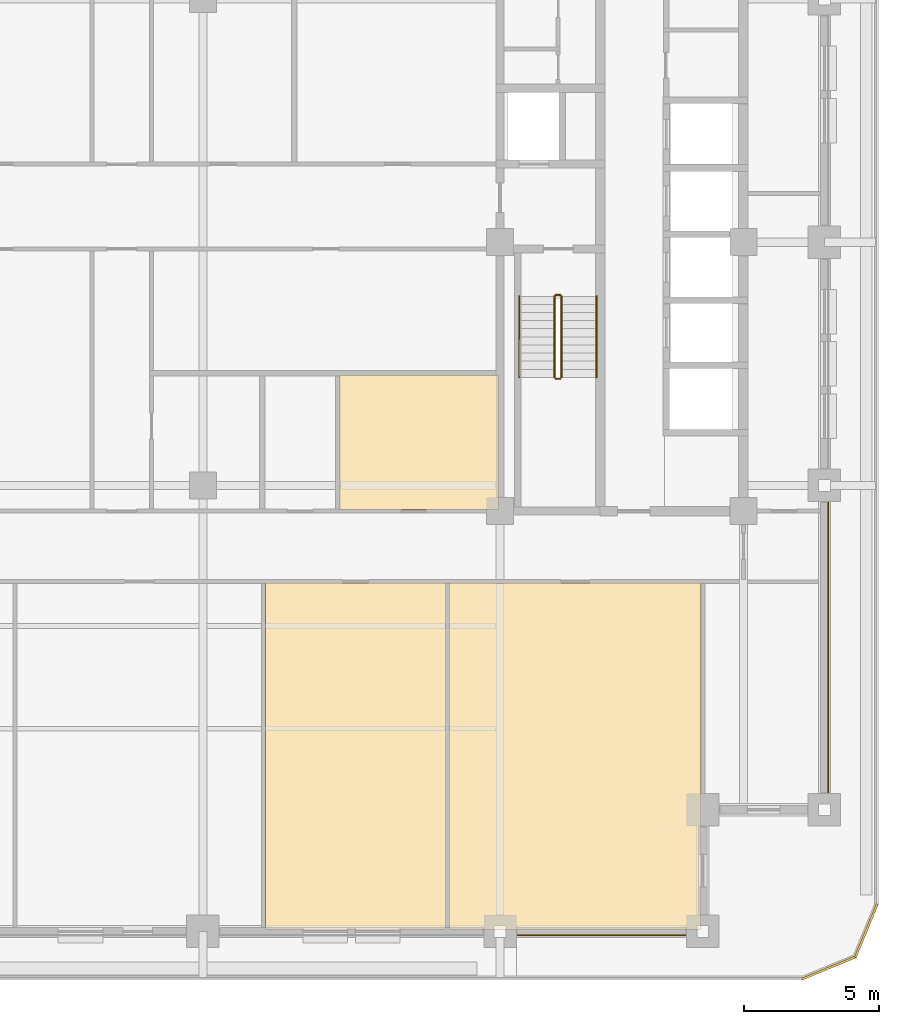
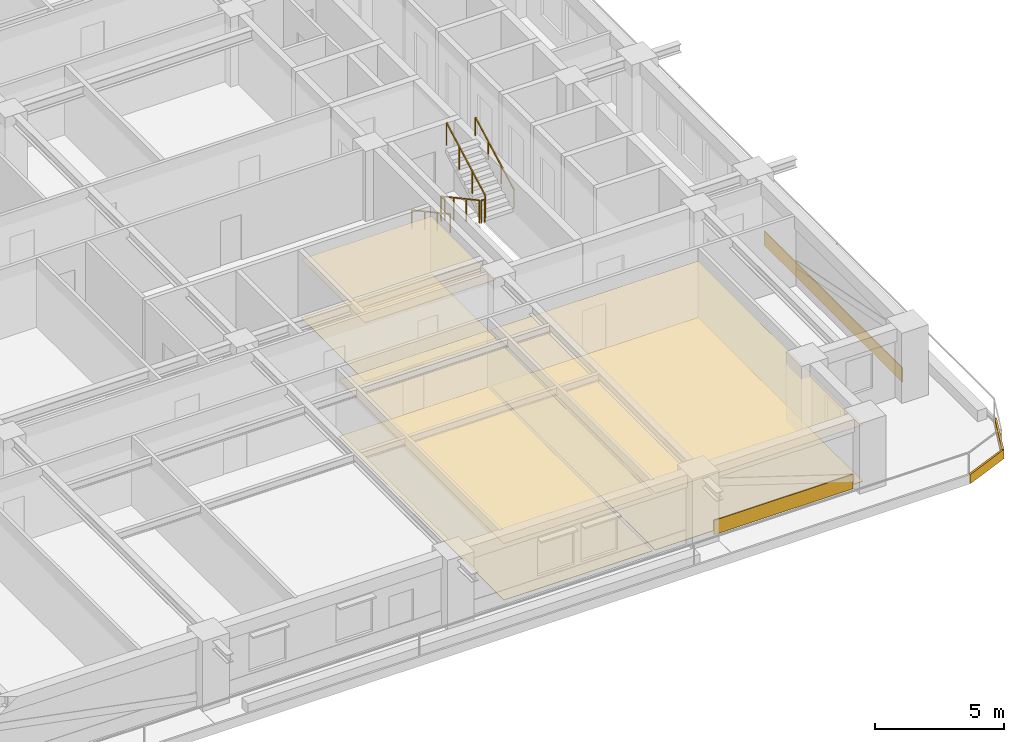
# One storey, part 14 of 15: 10 coverings, 6 railings.
"""IFC4 building model written with IfcOpenShell, lengths in metres."""

from ifc_helpers import new_model, si_unit, direction, frame, frame_2d, origin, origin_2d, place, context, subcontext, project, spatial, polyline, rectangle, outline, extrude, material, layer, layer_set, type_object, element, save


model = new_model("IFC4")

# Units and contexts
model_context = context("Model", 3, precision=1e-05, world=origin(), true_north=direction((0.0, 1.0)))
body_context = subcontext(model_context, "Body", "Model", "MODEL_VIEW")
ifc_project = project(units=[si_unit("LENGTHUNIT", "METRE"), si_unit("AREAUNIT", "SQUARE_METRE"), si_unit("VOLUMEUNIT", "CUBIC_METRE"), si_unit("PLANEANGLEUNIT", "RADIAN"), si_unit("MASSUNIT", "GRAM", prefix="KILO")], contexts=[model_context])

# Site, building, storey
site_placement = place(None, origin())
site = spatial("IfcSite", under=ifc_project, at=site_placement, CompositionType="ELEMENT")
building_placement = place(site_placement, origin())
building = spatial("IfcBuilding", under=site, at=building_placement, Name="Zulmaris Gate Convention Tower", CompositionType="ELEMENT")
storey_placement = place(building_placement, frame((0.0, 0.0, 132.059814453125)))
storey = spatial("IfcBuildingStorey", under=building, at=storey_placement, Name="L33", CompositionType="ELEMENT", Elevation=132.059814453125)

# Coverings
ifc_material_1 = material(Name="Precast concrete C40/50", Category="concrete")
ifc_layer_1 = layer(ifc_material_1, 0.0400390625, Name="Precast concrete C40/50")
ifc_layer_set_1 = layer_set([ifc_layer_1], Name="Precast concrete C40/50")
covering_type_1 = type_object("IfcCoveringType", Name="CLAD-SPANDREL-PRECAST", PredefinedType="CLADDING", material=ifc_layer_set_1)
covering_1_placement = place(storey_placement, frame((11.6298828125, -25.64990234375, 0.0), z_axis=(0.0, 0.0, 1.0), x_axis=(1.0, 0.0, 0.0)))
element("IfcCovering", 1, at=covering_1_placement, inside=storey, type_object=covering_type_1, Name="CLD-L33-S-3_0", PredefinedType="CLADDING", context=body_context, shape_type="SweptSolid", body=[
    extrude(rectangle(XDim=6.240234375, YDim=0.0400390625, at=frame_2d((3.1201171875, 0.0))), origin(), (0.0, 0.0, 1.0), 0.679931640625),
])
covering_2_placement = place(storey_placement, frame((23.14990234375, -20.3701171875, 0.0), z_axis=(0.0, 0.0, 1.0), x_axis=(0.0, 1.0, 0.0)))
element("IfcCovering", 2, at=covering_2_placement, inside=storey, type_object=covering_type_1, Name="CLD-L33-E-0_0", PredefinedType="CLADDING", context=body_context, shape_type="SweptSolid", body=[
    extrude(rectangle(XDim=10.740234375, YDim=0.0400390625, at=frame_2d((5.3701171875, 0.0))), origin(), (0.0, 0.0, 1.0), 0.679931640625),
])
ifc_material_2 = material(Name="White Glazed Architectural Precast Concrete C40/50", Category="concrete")
ifc_layer_2 = layer(ifc_material_2, 0.080078125, Name="White Glazed Architectural Precast Concrete C40/50")
ifc_layer_set_2 = layer_set([ifc_layer_2], Name="White Glazed Architectural Precast Concrete C40/50")
covering_type_2 = type_object("IfcCoveringType", Name="CLAD-TRAY-FASCIA", PredefinedType="CLADDING", material=ifc_layer_set_2)
covering_3_placement = place(storey_placement, frame((22.184814453125, -27.262939453125, -0.2900390625), z_axis=(0.0, 0.0, 1.0), x_axis=(0.923873803533, 0.382697263049, 0.0)))
element("IfcCovering", 3, at=covering_3_placement, inside=storey, type_object=covering_type_2, Name="FSC-L33-TR-03", PredefinedType="CLADDING", context=body_context, shape_type="SweptSolid", body=[
    extrude(rectangle(XDim=2.142822265625, YDim=0.080078125, at=frame_2d((1.0712890625, 0.0))), origin(), (0.0, 0.0, 1.0), 0.43994140625),
])
covering_4_placement = place(storey_placement, frame((24.142822265625, -26.464599609375, -0.2900390625), z_axis=(0.0, 0.0, 1.0), x_axis=(0.382656984709, 0.923890487046, 0.0)))
element("IfcCovering", 4, at=covering_4_placement, inside=storey, type_object=covering_type_2, Name="FSC-L33-TR-04", PredefinedType="CLADDING", context=body_context, shape_type="SweptSolid", body=[
    extrude(rectangle(XDim=2.14306640625, YDim=0.080078125, at=frame_2d((1.071533203125, 0.0))), origin(), (0.0, 0.0, 1.0), 0.43994140625),
])
ifc_material_3 = material(Name="Mineral Fibre Acoustic Ceiling Tile")
ifc_layer_3 = layer(ifc_material_3, 0.02001953125, Name="Mineral Fibre Acoustic Ceiling Tile")
ifc_layer_set_3 = layer_set([ifc_layer_3], Name="Mineral Fibre Acoustic Ceiling Tile")
covering_type_3 = type_object("IfcCoveringType", Name="CLG-ACOUSTIC-600", PredefinedType="CEILING", material=ifc_layer_set_3)
covering_5_placement = place(storey_placement, frame((0.0, 0.0, 2.68017578125)))
element("IfcCovering", 5, at=covering_5_placement, inside=storey, type_object=covering_type_3, Name="CLG-L33-R43", PredefinedType="CEILING", context=body_context, shape_type="SweptSolid", body=[
    extrude(outline(polyline([(2.31005859375, -25.43994140625), (8.989990234375, -25.43994140625), (8.989990234375, -12.610107421875), (2.31005859375, -12.610107421875), (2.31005859375, -25.43994140625)])), origin(), (0.0, 0.0, 1.0), 0.02001953125),
])
covering_6_placement = place(storey_placement, frame((0.0, 0.0, 2.68017578125)))
element("IfcCovering", 6, at=covering_6_placement, inside=storey, type_object=covering_type_3, Name="CLG-L33-R44", PredefinedType="CEILING", context=body_context, shape_type="SweptSolid", body=[
    extrude(outline(polyline([(9.110107421875, -25.43994140625), (18.43994140625, -25.43994140625), (18.43994140625, -12.610107421875), (9.110107421875, -12.610107421875), (9.110107421875, -25.43994140625)])), origin(), (0.0, 0.0, 1.0), 0.02001953125),
])
covering_7_placement = place(storey_placement, frame((0.0, 0.0, 2.778076171875)))
element("IfcCovering", 7, at=covering_7_placement, inside=storey, type_object=covering_type_3, Name="CLG-L33-R52", PredefinedType="CEILING", context=body_context, shape_type="SweptSolid", body=[
    extrude(outline(polyline([(5.06005859375, -9.889892578125), (10.93994140625, -9.889892578125), (10.93994140625, -4.909912109375), (5.06005859375, -4.909912109375), (5.06005859375, -9.889892578125)])), origin(), (0.0, 0.0, 1.0), 0.02001953125),
])
ifc_material_4 = material(Name="Woven Acoustic Wool Carpet Tile")
ifc_layer_4 = layer(ifc_material_4, 0.02001953125, Name="Woven Acoustic Wool Carpet Tile")
ifc_layer_set_4 = layer_set([ifc_layer_4], Name="Woven Acoustic Wool Carpet Tile")
covering_type_4 = type_object("IfcCoveringType", Name="FLR-CARPET-12", PredefinedType="FLOORING", material=ifc_layer_set_4)
covering_8_placement = place(storey_placement, origin())
element("IfcCovering", 8, at=covering_8_placement, inside=storey, type_object=covering_type_4, Name="FLR-L33-R43", PredefinedType="FLOORING", context=body_context, shape_type="SweptSolid", body=[
    extrude(outline(polyline([(2.31005859375, -25.43994140625), (8.989990234375, -25.43994140625), (8.989990234375, -12.610107421875), (2.31005859375, -12.610107421875), (2.31005859375, -25.43994140625)])), origin(), (0.0, 0.0, 1.0), 0.02001953125),
])
covering_9_placement = place(storey_placement, origin())
element("IfcCovering", 9, at=covering_9_placement, inside=storey, type_object=covering_type_4, Name="FLR-L33-R44", PredefinedType="FLOORING", context=body_context, shape_type="SweptSolid", body=[
    extrude(outline(polyline([(9.110107421875, -25.43994140625), (18.43994140625, -25.43994140625), (18.43994140625, -12.610107421875), (9.110107421875, -12.610107421875), (9.110107421875, -25.43994140625)])), origin(), (0.0, 0.0, 1.0), 0.02001953125),
])
covering_10_placement = place(storey_placement, origin())
element("IfcCovering", 10, at=covering_10_placement, inside=storey, type_object=covering_type_4, Name="FLR-L33-R52", PredefinedType="FLOORING", context=body_context, shape_type="SweptSolid", body=[
    extrude(outline(polyline([(5.06005859375, -9.889892578125), (10.93994140625, -9.889892578125), (10.93994140625, -4.909912109375), (5.06005859375, -4.909912109375), (5.06005859375, -9.889892578125)])), origin(), (0.0, 0.0, 1.0), 0.02001953125),
])

# Railings
ifc_material_5 = material(Name="Painted Galvanised Steel", Category="steel")
railing_type_1 = type_object("IfcRailingType", Name="RL-STG-1150", PredefinedType="GUARDRAIL", material=ifc_material_5)
railing_1_placement = place(storey_placement, frame((13.010009765625, -2.0, 0.162353515625)))
element("IfcRailing", 11, at=railing_1_placement, inside=storey, type_object=railing_type_1, Name="L33 ST-2 stair guard 1", PredefinedType="GUARDRAIL", context=body_context, shape_type="SweptSolid", body=[
    extrude(rectangle(XDim=0.048095703125, YDim=0.048095703125, at=origin_2d()), frame((0.0, 0.0, 1.076171875), z_axis=(0.0, -0.8795616155, 0.475784998228), x_axis=(1.0, 0.0, 0.0)), (0.0, 0.0, 1.0), 3.410888671875),
    extrude(rectangle(XDim=0.0419921875, YDim=0.0419921875, at=origin_2d()), origin(), (0.0, 0.0, 1.0), 1.052001953125),
    extrude(rectangle(XDim=0.0419921875, YDim=0.0419921875, at=origin_2d()), frame((0.0, -1.0, 0.541015625)), (0.0, 0.0, 1.0), 1.052001953125),
    extrude(rectangle(XDim=0.0419921875, YDim=0.0419921875, at=origin_2d()), frame((0.0, -2.0, 1.081787109375)), (0.0, 0.0, 1.0), 1.052001953125),
    extrude(rectangle(XDim=0.0419921875, YDim=0.0419921875, at=origin_2d()), frame((0.0, -3.0, 1.622802734375)), (0.0, 0.0, 1.0), 1.052001953125),
])
railing_2_placement = place(storey_placement, frame((13.06005859375, -5.050048828125, 1.78515625)))
element("IfcRailing", 12, at=railing_2_placement, inside=storey, type_object=railing_type_1, Name="L33 ST-2 stair guard 2", PredefinedType="GUARDRAIL", context=body_context, shape_type="SweptSolid", body=[
    extrude(rectangle(XDim=0.048095703125, YDim=0.048095703125, at=origin_2d()), frame((0.0, 0.0, 1.076171875), z_axis=(1.0, 0.0, 0.0), x_axis=(0.0, 1.0, 0.0)), (0.0, 0.0, 1.0), 0.159912109375),
    extrude(rectangle(XDim=0.0419921875, YDim=0.0419921875, at=origin_2d()), origin(), (0.0, 0.0, 1.0), 1.052001953125),
    extrude(rectangle(XDim=0.0419921875, YDim=0.0419921875, at=origin_2d()), frame((0.159912109375, 0.0, 0.0)), (0.0, 0.0, 1.0), 1.052001953125),
])
railing_3_placement = place(storey_placement, frame((13.27001953125, -5.0, 1.947265625)))
element("IfcRailing", 13, at=railing_3_placement, inside=storey, type_object=railing_type_1, Name="L33 ST-2 stair guard 3", PredefinedType="GUARDRAIL", context=body_context, shape_type="SweptSolid", body=[
    extrude(rectangle(XDim=0.048095703125, YDim=0.048095703125, at=origin_2d()), frame((0.0, 0.0, 1.076171875), z_axis=(0.0, 0.8795616155, 0.475784998228), x_axis=(-1.0, 0.0, 0.0)), (0.0, 0.0, 1.0), 3.410888671875),
    extrude(rectangle(XDim=0.0419921875, YDim=0.0419921875, at=origin_2d()), origin(), (0.0, 0.0, 1.0), 1.052001953125),
    extrude(rectangle(XDim=0.0419921875, YDim=0.0419921875, at=origin_2d()), frame((0.0, 1.0, 0.541015625)), (0.0, 0.0, 1.0), 1.052001953125),
    extrude(rectangle(XDim=0.0419921875, YDim=0.0419921875, at=origin_2d()), frame((0.0, 2.0, 1.081787109375)), (0.0, 0.0, 1.0), 1.052001953125),
    extrude(rectangle(XDim=0.0419921875, YDim=0.0419921875, at=origin_2d()), frame((0.0, 3.0, 1.622802734375)), (0.0, 0.0, 1.0), 1.052001953125),
])
railing_4_placement = place(storey_placement, frame((13.06005859375, -1.949951171875, 0.0)))
element("IfcRailing", 14, at=railing_4_placement, inside=storey, type_object=railing_type_1, Name="L33 ST-2 stair guard 4", PredefinedType="GUARDRAIL", context=body_context, shape_type="SweptSolid", body=[
    extrude(rectangle(XDim=0.048095703125, YDim=0.048095703125, at=origin_2d()), frame((0.0, 0.0, 1.076171875), z_axis=(1.0, 0.0, 0.0), x_axis=(0.0, 1.0, 0.0)), (0.0, 0.0, 1.0), 0.159912109375),
    extrude(rectangle(XDim=0.0419921875, YDim=0.0419921875, at=origin_2d()), origin(), (0.0, 0.0, 1.0), 1.052001953125),
    extrude(rectangle(XDim=0.0419921875, YDim=0.0419921875, at=origin_2d()), frame((0.159912109375, 0.0, 0.0)), (0.0, 0.0, 1.0), 1.052001953125),
])
ifc_material_6 = material(Name="Brushed Stainless Steel", Category="steel")
railing_type_2 = type_object("IfcRailingType", Name="RL-STH-900", PredefinedType="HANDRAIL", material=ifc_material_6)
railing_5_placement = place(storey_placement, frame((11.7099609375, -2.0, 0.162353515625)))
element("IfcRailing", 15, at=railing_5_placement, inside=storey, type_object=railing_type_2, Name="L33 ST-2 stair handrail 1", PredefinedType="HANDRAIL", context=body_context, shape_type="SweptSolid", body=[
    extrude(rectangle(XDim=0.048095703125, YDim=0.048095703125, at=origin_2d()), frame((0.0, 0.0, 0.8759765625), z_axis=(0.0, -0.8795616155, 0.475784998228), x_axis=(1.0, 0.0, 0.0)), (0.0, 0.0, 1.0), 3.410888671875),
    extrude(rectangle(XDim=0.0419921875, YDim=0.0419921875, at=origin_2d()), origin(), (0.0, 0.0, 1.0), 0.851806640625),
    extrude(rectangle(XDim=0.0419921875, YDim=0.0419921875, at=origin_2d()), frame((0.0, -1.0, 0.541015625)), (0.0, 0.0, 1.0), 0.851806640625),
    extrude(rectangle(XDim=0.0419921875, YDim=0.0419921875, at=origin_2d()), frame((0.0, -2.0, 1.081787109375)), (0.0, 0.0, 1.0), 0.851806640625),
    extrude(rectangle(XDim=0.0419921875, YDim=0.0419921875, at=origin_2d()), frame((0.0, -3.0, 1.622802734375)), (0.0, 0.0, 1.0), 0.851806640625),
])
railing_6_placement = place(storey_placement, frame((14.570068359375, -5.0, 1.947265625)))
element("IfcRailing", 16, at=railing_6_placement, inside=storey, type_object=railing_type_2, Name="L33 ST-2 stair handrail 2", PredefinedType="HANDRAIL", context=body_context, shape_type="SweptSolid", body=[
    extrude(rectangle(XDim=0.048095703125, YDim=0.048095703125, at=origin_2d()), frame((0.0, 0.0, 0.8759765625), z_axis=(0.0, 0.8795616155, 0.475784998228), x_axis=(-1.0, 0.0, 0.0)), (0.0, 0.0, 1.0), 3.410888671875),
    extrude(rectangle(XDim=0.0419921875, YDim=0.0419921875, at=origin_2d()), origin(), (0.0, 0.0, 1.0), 0.851806640625),
    extrude(rectangle(XDim=0.0419921875, YDim=0.0419921875, at=origin_2d()), frame((0.0, 1.0, 0.541015625)), (0.0, 0.0, 1.0), 0.851806640625),
    extrude(rectangle(XDim=0.0419921875, YDim=0.0419921875, at=origin_2d()), frame((0.0, 2.0, 1.081787109375)), (0.0, 0.0, 1.0), 0.851806640625),
    extrude(rectangle(XDim=0.0419921875, YDim=0.0419921875, at=origin_2d()), frame((0.0, 3.0, 1.622802734375)), (0.0, 0.0, 1.0), 0.851806640625),
])

save(model, "model.ifc")
